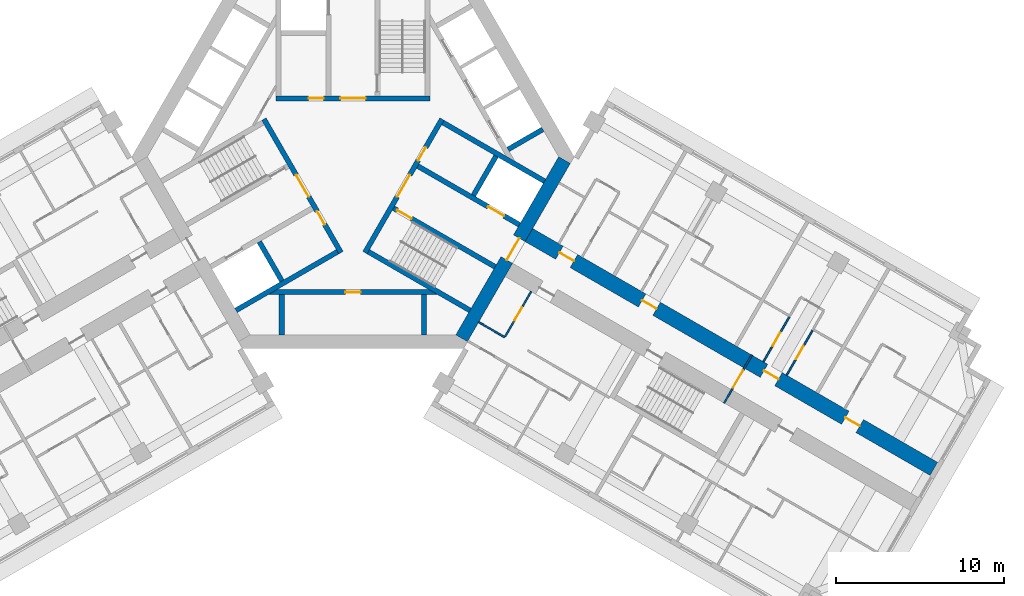
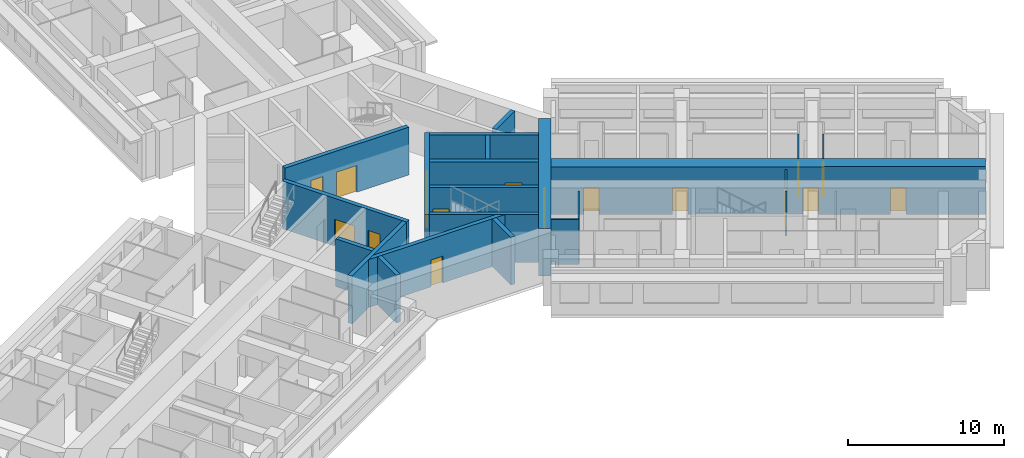
# One storey, part 6 of 12: 21 walls, 18 doors, 18 openings.
"""IFC4 building model written with IfcOpenShell, lengths in metres."""

from ifc_helpers import new_model, si_unit, direction, frame, frame_2d, origin, place, context, subcontext, project, spatial, rectangle, extrude, material, layer, layer_set, type_object, element, fill, save


model = new_model("IFC4")

# Units and contexts
model_context = context("Model", 3, precision=1e-05, world=origin(), true_north=direction((0.0, 1.0)))
body_context = subcontext(model_context, "Body", "Model", "MODEL_VIEW")
ifc_project = project(units=[si_unit("LENGTHUNIT", "METRE"), si_unit("AREAUNIT", "SQUARE_METRE"), si_unit("VOLUMEUNIT", "CUBIC_METRE"), si_unit("PLANEANGLEUNIT", "RADIAN"), si_unit("MASSUNIT", "GRAM", prefix="KILO")], contexts=[model_context])

# Site, building, storey
site_placement = place(None, origin())
site = spatial("IfcSite", under=ifc_project, at=site_placement, CompositionType="ELEMENT")
building_placement = place(site_placement, origin())
building = spatial("IfcBuilding", under=site, at=building_placement, Name="Impinga Residences", CompositionType="ELEMENT")
storey_placement = place(building_placement, frame((0.0, 0.0, 166.0)))
storey = spatial("IfcBuildingStorey", under=building, at=storey_placement, Name="L41", CompositionType="ELEMENT", Elevation=166.0)

# Wall, openings, doors
ifc_material_1 = material(Name="Concrete C60/75", Category="concrete")
ifc_layer_1 = layer(ifc_material_1, 0.89990234375)
ifc_layer_set_1 = layer_set([ifc_layer_1], Name="Concrete C60/75")
wall_type_1 = type_object("IfcWallType", Name="BW2 corridor buttress wall, L24 to L44 900", PredefinedType="SHEAR", material=ifc_layer_set_1)
wall_1_placement = place(storey_placement, frame((10.153564453125, -4.4765625, 0.0), z_axis=(0.0, 0.0, 1.0), x_axis=(0.866027127636, -0.49999701419, 0.0)))
wall_1 = element("IfcWall", 1, at=wall_1_placement, inside=storey, type_object=wall_type_1, Name="Corridor wall BW2 EC L41", PredefinedType="SHEAR", context=body_context, shape_type="SweptSolid", body=[
    extrude(rectangle(XDim=28.300048828125, YDim=0.89990234375, at=frame_2d((14.14990234375, 0.0))), origin(), (0.0, 0.0, 1.0), 3.75),
])
opening_1_placement = place(wall_1_placement, frame((2.5, 0.0, 0.0)))
opening_1 = element("IfcOpeningElement", 2, at=opening_1_placement, cuts=wall_1, Name="Opening D1", PredefinedType="OPENING", context=body_context, shape_type="SweptSolid", body=[
    extrude(rectangle(XDim=1.0, YDim=2.10009765625, at=frame_2d((0.5, 1.050048828125))), frame((0.0, 0.4599609375, 0.0), z_axis=(0.0, -1.0, 0.0), x_axis=(1.0, 0.0, 0.0)), (0.0, 0.0, 1.0), 0.919921875),
])
opening_2_placement = place(wall_1_placement, frame((8.199951171875, 0.0, 0.0)))
opening_2 = element("IfcOpeningElement", 3, at=opening_2_placement, cuts=wall_1, Name="Opening D1", PredefinedType="OPENING", context=body_context, shape_type="SweptSolid", body=[
    extrude(rectangle(XDim=1.0, YDim=2.10009765625, at=frame_2d((0.5, 1.050048828125))), frame((0.0, 0.4599609375, 0.0), z_axis=(0.0, -1.0, 0.0), x_axis=(1.0, 0.0, 0.0)), (0.0, 0.0, 1.0), 0.919921875),
])
opening_3_placement = place(wall_1_placement, frame((16.60009765625, 0.0, 0.0)))
opening_3 = element("IfcOpeningElement", 4, at=opening_3_placement, cuts=wall_1, Name="Opening D1", PredefinedType="OPENING", context=body_context, shape_type="SweptSolid", body=[
    extrude(rectangle(XDim=1.0, YDim=2.10009765625, at=frame_2d((0.5, 1.050048828125))), frame((0.0, 0.4599609375, 0.0), z_axis=(0.0, -1.0, 0.0), x_axis=(1.0, 0.0, 0.0)), (0.0, 0.0, 1.0), 0.919921875),
])
opening_4_placement = place(wall_1_placement, frame((22.199951171875, 0.0, 0.0)))
opening_4 = element("IfcOpeningElement", 5, at=opening_4_placement, cuts=wall_1, Name="Opening D1", PredefinedType="OPENING", context=body_context, shape_type="SweptSolid", body=[
    extrude(rectangle(XDim=1.0, YDim=2.10009765625, at=frame_2d((0.5, 1.050048828125))), frame((0.0, 0.4599609375, 0.0), z_axis=(0.0, -1.0, 0.0), x_axis=(1.0, 0.0, 0.0)), (0.0, 0.0, 1.0), 0.919921875),
])
ifc_material_2 = material(Name="Timber door set", Category="wood")
door_type_1 = type_object("IfcDoorType", Name="D1 apartment entrance door 1000x2100", OperationType="SINGLE_SWING_LEFT", PredefinedType="DOOR", material=ifc_material_2)
door_1_placement = place(opening_1_placement, origin())
door_1 = element("IfcDoor", 6, at=door_1_placement, inside=storey, type_object=door_type_1, Name="Apartment L41-EA1 entrance", OperationType="SINGLE_SWING_LEFT", OverallHeight=2.10009765625, OverallWidth=1.0, PredefinedType="DOOR", context=body_context, shape_type="SweptSolid", body=[
    extrude(rectangle(XDim=1.0, YDim=2.10009765625, at=frame_2d((0.5, 1.050048828125))), frame((0.0, 0.02490234375, 0.0), z_axis=(0.0, -1.0, 0.0), x_axis=(1.0, 0.0, 0.0)), (0.0, 0.0, 1.0), 0.050048828125),
])
fill(opening_1, door_1)
door_2_placement = place(opening_2_placement, origin())
door_2 = element("IfcDoor", 7, at=door_2_placement, inside=storey, type_object=door_type_1, Name="Apartment L41-EA2 entrance", OperationType="SINGLE_SWING_LEFT", OverallHeight=2.10009765625, OverallWidth=1.0, PredefinedType="DOOR", context=body_context, shape_type="SweptSolid", body=[
    extrude(rectangle(XDim=1.0, YDim=2.10009765625, at=frame_2d((0.5, 1.050048828125))), frame((0.0, 0.02490234375, 0.0), z_axis=(0.0, -1.0, 0.0), x_axis=(1.0, 0.0, 0.0)), (0.0, 0.0, 1.0), 0.050048828125),
])
fill(opening_2, door_2)
door_3_placement = place(opening_3_placement, origin())
door_3 = element("IfcDoor", 8, at=door_3_placement, inside=storey, type_object=door_type_1, Name="Apartment L41-EA3 entrance", OperationType="SINGLE_SWING_RIGHT", OverallHeight=2.10009765625, OverallWidth=1.0, PredefinedType="DOOR", context=body_context, shape_type="SweptSolid", body=[
    extrude(rectangle(XDim=1.0, YDim=2.10009765625, at=frame_2d((0.5, 1.050048828125))), frame((0.0, 0.02490234375, 0.0), z_axis=(0.0, -1.0, 0.0), x_axis=(1.0, 0.0, 0.0)), (0.0, 0.0, 1.0), 0.050048828125),
])
fill(opening_3, door_3)
door_4_placement = place(opening_4_placement, origin())
door_4 = element("IfcDoor", 9, at=door_4_placement, inside=storey, type_object=door_type_1, Name="Apartment L41-EA4 entrance", OperationType="SINGLE_SWING_RIGHT", OverallHeight=2.10009765625, OverallWidth=1.0, PredefinedType="DOOR", context=body_context, shape_type="SweptSolid", body=[
    extrude(rectangle(XDim=1.0, YDim=2.10009765625, at=frame_2d((0.5, 1.050048828125))), frame((0.0, 0.02490234375, 0.0), z_axis=(0.0, -1.0, 0.0), x_axis=(1.0, 0.0, 0.0)), (0.0, 0.0, 1.0), 0.050048828125),
])
fill(opening_4, door_4)

# Wall, opening, door
ifc_material_3 = material(Name="Concrete blockwork", Category="masonry")
ifc_layer_2 = layer(ifc_material_3, 0.10009765625)
ifc_layer_set_2 = layer_set([ifc_layer_2], Name="CP1 core room partition, blockwork 100")
wall_type_2 = type_object("IfcWallType", Name="CP1 core room partition, blockwork 100", PredefinedType="PARTITIONING", material=ifc_layer_set_2)
wall_2_placement = place(storey_placement, frame((23.802490234375, -11.837158203125, 0.0), z_axis=(0.0, 0.0, 1.0), x_axis=(-0.500061873842, -0.865989677958, 0.0)))
wall_2 = element("IfcWall", 10, at=wall_2_placement, inside=storey, type_object=wall_type_2, Name="Core room partition, blockwork L41:E:SCR", PredefinedType="PARTITIONING", context=body_context, shape_type="SweptSolid", body=[
    extrude(rectangle(XDim=3.2998046875, YDim=0.10009765625, at=frame_2d((1.64990234375, 0.0))), origin(), (0.0, 0.0, 1.0), 3.530029296875),
])
opening_5_placement = place(wall_2_placement, frame((1.050048828125, 0.0, 0.0)))
opening_5 = element("IfcOpeningElement", 11, at=opening_5_placement, cuts=wall_2, Name="Opening D3", PredefinedType="OPENING", context=body_context, shape_type="SweptSolid", body=[
    extrude(rectangle(XDim=1.199951171875, YDim=2.10009765625, at=frame_2d((0.60009765625, 1.050048828125))), frame((0.0, 0.06005859375, 0.0), z_axis=(0.0, -1.0, 0.0), x_axis=(1.0, 0.0, 0.0)), (0.0, 0.0, 1.0), 0.1201171875),
])
door_type_2 = type_object("IfcDoorType", Name="D3 room door, leaf and a half 1200x2100", OperationType="DOUBLE_SWING_LEFT", PredefinedType="DOOR", material=ifc_material_2)
door_5_placement = place(opening_5_placement, origin())
door_5 = element("IfcDoor", 12, at=door_5_placement, inside=storey, type_object=door_type_2, Name="Corridor smoke door E", OperationType="DOUBLE_SWING_LEFT", OverallHeight=2.10009765625, OverallWidth=1.199951171875, PredefinedType="DOOR", context=body_context, shape_type="SweptSolid", body=[
    extrude(rectangle(XDim=1.199951171875, YDim=2.10009765625, at=frame_2d((0.60009765625, 1.050048828125))), frame((0.0, 0.02490234375, 0.0), z_axis=(0.0, -1.0, 0.0), x_axis=(1.0, 0.0, 0.0)), (0.0, 0.0, 1.0), 0.050048828125),
])
fill(opening_5, door_5)

ifc_material_4 = material(Name="Gypsum board on steel studs", Category="steel")
ifc_layer_3 = layer(ifc_material_4, 0.10009765625)
ifc_layer_set_3 = layer_set([ifc_layer_3], Name="Gypsum board on steel studs")
wall_type_3 = type_object("IfcWallType", Name="IP1 partition 100", PredefinedType="PARTITIONING", material=ifc_layer_set_3)
wall_3_placement = place(storey_placement, frame((24.494873046875, -12.23681640625, 0.0), z_axis=(0.0, 0.0, 1.0), x_axis=(0.500026960575, 0.86600983753, 0.0)))
wall_3 = element("IfcWall", 13, at=wall_3_placement, inside=storey, type_object=wall_type_3, Name="Partition L41-EA3:IB1", PredefinedType="PARTITIONING", context=body_context, shape_type="SweptSolid", body=[
    extrude(rectangle(XDim=3.099853515625, YDim=0.10009765625, at=frame_2d((1.5498046875, 0.0))), origin(), (0.0, 0.0, 1.0), 3.530029296875),
])
opening_6_placement = place(wall_3_placement, frame((1.10009765625, 0.0, 0.0)))
opening_6 = element("IfcOpeningElement", 14, at=opening_6_placement, cuts=wall_3, Name="Opening D2", PredefinedType="OPENING", context=body_context, shape_type="SweptSolid", body=[
    extrude(rectangle(XDim=0.89990234375, YDim=2.10009765625, at=frame_2d((0.449951171875, 1.050048828125))), frame((0.0, 0.06005859375, 0.0), z_axis=(0.0, -1.0, 0.0), x_axis=(1.0, 0.0, 0.0)), (0.0, 0.0, 1.0), 0.1201171875),
])
door_type_3 = type_object("IfcDoorType", Name="D2 internal door 900x2100", OperationType="SINGLE_SWING_LEFT", PredefinedType="DOOR", material=ifc_material_2)
door_6_placement = place(opening_6_placement, origin())
door_6 = element("IfcDoor", 15, at=door_6_placement, inside=storey, type_object=door_type_3, Name="Apartment L41-EA3 bathroom door", OperationType="SINGLE_SWING_LEFT", OverallHeight=2.10009765625, OverallWidth=0.89990234375, PredefinedType="DOOR", context=body_context, shape_type="SweptSolid", body=[
    extrude(rectangle(XDim=0.89990234375, YDim=2.10009765625, at=frame_2d((0.449951171875, 1.050048828125))), frame((0.0, 0.02490234375, 0.0), z_axis=(0.0, -1.0, 0.0), x_axis=(1.0, 0.0, 0.0)), (0.0, 0.0, 1.0), 0.050048828125),
])
fill(opening_6, door_6)

wall_4_placement = place(storey_placement, frame((25.88037109375, -13.036865234375, 0.0), z_axis=(0.0, 0.0, 1.0), x_axis=(0.49999285859, 0.86602952684, 0.0)))
wall_4 = element("IfcWall", 16, at=wall_4_placement, inside=storey, type_object=wall_type_3, Name="Partition L41-EA3:IB2", PredefinedType="PARTITIONING", context=body_context, shape_type="SweptSolid", body=[
    extrude(rectangle(XDim=3.10009765625, YDim=0.10009765625, at=frame_2d((1.550048828125, 0.0))), origin(), (0.0, 0.0, 1.0), 3.530029296875),
])
opening_7_placement = place(wall_4_placement, frame((1.10009765625, 0.0, 0.0)))
opening_7 = element("IfcOpeningElement", 17, at=opening_7_placement, cuts=wall_4, Name="Opening D2", PredefinedType="OPENING", context=body_context, shape_type="SweptSolid", body=[
    extrude(rectangle(XDim=0.89990234375, YDim=2.10009765625, at=frame_2d((0.449951171875, 1.050048828125))), frame((0.0, 0.06005859375, 0.0), z_axis=(0.0, -1.0, 0.0), x_axis=(1.0, 0.0, 0.0)), (0.0, 0.0, 1.0), 0.1201171875),
])
door_7_placement = place(opening_7_placement, origin())
door_7 = element("IfcDoor", 18, at=door_7_placement, inside=storey, type_object=door_type_3, Name="Apartment L41-EA3 WC door", OperationType="SINGLE_SWING_LEFT", OverallHeight=2.10009765625, OverallWidth=0.89990234375, PredefinedType="DOOR", context=body_context, shape_type="SweptSolid", body=[
    extrude(rectangle(XDim=0.89990234375, YDim=2.10009765625, at=frame_2d((0.449951171875, 1.050048828125))), frame((0.0, 0.02490234375, 0.0), z_axis=(0.0, -1.0, 0.0), x_axis=(1.0, 0.0, 0.0)), (0.0, 0.0, 1.0), 0.050048828125),
])
fill(opening_7, door_7)

# Wall
wall_5_placement = place(storey_placement, frame((7.5, -9.872802734375, 0.0), z_axis=(0.0, 0.0, 1.0), x_axis=(0.866047807691, -0.499961193289, 0.0)))
element("IfcWall", 19, at=wall_5_placement, inside=storey, type_object=wall_type_3, Name="Partition L41-EF1:DIV0", PredefinedType="PARTITIONING", context=body_context, shape_type="SweptSolid", body=[
    extrude(rectangle(XDim=1.800048828125, YDim=0.10009765625, at=frame_2d((0.89990234375, 0.0))), origin(), (0.0, 0.0, 1.0), 3.530029296875),
])

# Wall, opening, door
wall_6_placement = place(storey_placement, frame((10.6337890625, -8.044677734375, 0.0), z_axis=(0.0, 0.0, 1.0), x_axis=(-0.49999285859, -0.86602952684, 0.0)))
wall_6 = element("IfcWall", 20, at=wall_6_placement, inside=storey, type_object=wall_type_3, Name="Partition L41-EF1:IB1", PredefinedType="PARTITIONING", context=body_context, shape_type="SweptSolid", body=[
    extrude(rectangle(XDim=3.10009765625, YDim=0.10009765625, at=frame_2d((1.550048828125, 0.0))), origin(), (0.0, 0.0, 1.0), 3.530029296875),
])
opening_8_placement = place(wall_6_placement, frame((1.10009765625, 0.0, 0.0)))
opening_8 = element("IfcOpeningElement", 21, at=opening_8_placement, cuts=wall_6, Name="Opening D2", PredefinedType="OPENING", context=body_context, shape_type="SweptSolid", body=[
    extrude(rectangle(XDim=0.89990234375, YDim=2.10009765625, at=frame_2d((0.449951171875, 1.050048828125))), frame((0.0, 0.06005859375, 0.0), z_axis=(0.0, -1.0, 0.0), x_axis=(1.0, 0.0, 0.0)), (0.0, 0.0, 1.0), 0.1201171875),
])
door_8_placement = place(opening_8_placement, origin())
door_8 = element("IfcDoor", 22, at=door_8_placement, inside=storey, type_object=door_type_3, Name="Apartment L41-EF1 bathroom door", OperationType="SINGLE_SWING_LEFT", OverallHeight=2.10009765625, OverallWidth=0.89990234375, PredefinedType="DOOR", context=body_context, shape_type="SweptSolid", body=[
    extrude(rectangle(XDim=0.89990234375, YDim=2.10009765625, at=frame_2d((0.449951171875, 1.050048828125))), frame((0.0, 0.02490234375, 0.0), z_axis=(0.0, -1.0, 0.0), x_axis=(1.0, 0.0, 0.0)), (0.0, 0.0, 1.0), 0.050048828125),
])
fill(opening_8, door_8)

ifc_layer_4 = layer(ifc_material_1, 0.800048828125)
ifc_layer_set_4 = layer_set([ifc_layer_4], Name="Concrete C60/75")
wall_type_4 = type_object("IfcWallType", Name="SW2 core wall 800", PredefinedType="SHEAR", material=ifc_layer_set_4)
wall_7_placement = place(storey_placement, frame((12.62255859375, -0.199951171875, 0.0), z_axis=(0.0, 0.0, 1.0), x_axis=(-0.499986991068, -0.866032914365, 0.0)))
wall_7 = element("IfcWall", 23, at=wall_7_placement, inside=storey, type_object=wall_type_4, Name="Core wall SW2 E:FACE L41", PredefinedType="SHEAR", context=body_context, shape_type="SweptSolid", body=[
    extrude(rectangle(XDim=12.276123046875, YDim=0.800048828125, at=frame_2d((6.13818359375, 0.0))), origin(), (0.0, 0.0, 1.0), 3.75),
])
opening_9_placement = place(wall_7_placement, frame((5.38818359375, 0.0, 0.0)))
opening_9 = element("IfcOpeningElement", 24, at=opening_9_placement, cuts=wall_7, Name="Opening D4", PredefinedType="OPENING", context=body_context, shape_type="SweptSolid", body=[
    extrude(rectangle(XDim=1.5, YDim=2.10009765625, at=frame_2d((0.75, 1.050048828125))), frame((0.0, 0.409912109375, 0.0), z_axis=(0.0, -1.0, 0.0), x_axis=(1.0, 0.0, 0.0)), (0.0, 0.0, 1.0), 0.820068359375),
])
door_type_4 = type_object("IfcDoorType", Name="D4 lobby door pair 1500x2100", OperationType="DOUBLE_DOOR_DOUBLE_SWING", PredefinedType="DOOR", material=ifc_material_2)
door_9_placement = place(opening_9_placement, origin())
door_9 = element("IfcDoor", 25, at=door_9_placement, inside=storey, type_object=door_type_4, Name="Lobby door E", OperationType="DOUBLE_DOOR_DOUBLE_SWING", OverallHeight=2.10009765625, OverallWidth=1.5, PredefinedType="DOOR", context=body_context, shape_type="SweptSolid", body=[
    extrude(rectangle(XDim=1.5, YDim=2.10009765625, at=frame_2d((0.75, 1.050048828125))), frame((0.0, 0.02490234375, 0.0), z_axis=(0.0, -1.0, 0.0), x_axis=(1.0, 0.0, 0.0)), (0.0, 0.0, 1.0), 0.050048828125),
])
fill(opening_9, door_9)

# Wall, openings, doors
ifc_material_5 = material(Name="Concrete C70/85", Category="concrete")
ifc_layer_5 = layer(ifc_material_5, 0.300048828125)
ifc_layer_set_5 = layer_set([ifc_layer_5], Name="Concrete C70/85")
wall_type_5 = type_object("IfcWallType", Name="SW5 core inner wall, stairs, shafts and lobbies 300", PredefinedType="SHEAR", material=ifc_layer_set_5)
wall_8_placement = place(storey_placement, frame((-4.60009765625, 3.47998046875, 0.0), z_axis=(0.0, 0.0, 1.0), x_axis=(1.0, 0.0, 0.0)))
wall_8 = element("IfcWall", 26, at=wall_8_placement, inside=storey, type_object=wall_type_5, Name="Core wall SW5 N:ZONE L41", PredefinedType="SHEAR", context=body_context, shape_type="SweptSolid", body=[
    extrude(rectangle(XDim=9.2001953125, YDim=0.300048828125, at=frame_2d((4.60009765625, 0.0))), origin(), (0.0, 0.0, 1.0), 3.75),
])
opening_10_placement = place(wall_8_placement, frame((3.85009765625, 0.0, 0.0)))
opening_10 = element("IfcOpeningElement", 27, at=opening_10_placement, cuts=wall_8, Name="Opening D4", PredefinedType="OPENING", context=body_context, shape_type="SweptSolid", body=[
    extrude(rectangle(XDim=1.5, YDim=2.10009765625, at=frame_2d((0.75, 1.050048828125))), frame((0.0, 0.159912109375, 0.0), z_axis=(0.0, -1.0, 0.0), x_axis=(1.0, 0.0, 0.0)), (0.0, 0.0, 1.0), 0.320068359375),
])
opening_11_placement = place(wall_8_placement, frame((1.949951171875, 0.0, 0.0)))
opening_11 = element("IfcOpeningElement", 28, at=opening_11_placement, cuts=wall_8, Name="Opening D6", PredefinedType="OPENING", context=body_context, shape_type="SweptSolid", body=[
    extrude(rectangle(XDim=0.89990234375, YDim=2.10009765625, at=frame_2d((0.449951171875, 1.050048828125))), frame((0.0, 0.159912109375, 0.0), z_axis=(0.0, -1.0, 0.0), x_axis=(1.0, 0.0, 0.0)), (0.0, 0.0, 1.0), 0.320068359375),
])
door_10_placement = place(opening_10_placement, origin())
door_10 = element("IfcDoor", 29, at=door_10_placement, inside=storey, type_object=door_type_4, Name="Firefighting lobby door N", OperationType="DOUBLE_DOOR_DOUBLE_SWING", OverallHeight=2.10009765625, OverallWidth=1.5, PredefinedType="DOOR", context=body_context, shape_type="SweptSolid", body=[
    extrude(rectangle(XDim=1.5, YDim=2.10009765625, at=frame_2d((0.75, 1.050048828125))), frame((0.0, 0.02490234375, 0.0), z_axis=(0.0, -1.0, 0.0), x_axis=(1.0, 0.0, 0.0)), (0.0, 0.0, 1.0), 0.050048828125),
])
fill(opening_10, door_10)
door_type_5 = type_object("IfcDoorType", Name="D6 riser and store door 900x2100", OperationType="SINGLE_SWING_LEFT", PredefinedType="DOOR", material=ifc_material_2)
door_11_placement = place(opening_11_placement, origin())
door_11 = element("IfcDoor", 30, at=door_11_placement, inside=storey, type_object=door_type_5, Name="Riser door N", OperationType="SINGLE_SWING_LEFT", OverallHeight=2.10009765625, OverallWidth=0.89990234375, PredefinedType="DOOR", context=body_context, shape_type="SweptSolid", body=[
    extrude(rectangle(XDim=0.89990234375, YDim=2.10009765625, at=frame_2d((0.449951171875, 1.050048828125))), frame((0.0, 0.02490234375, 0.0), z_axis=(0.0, -1.0, 0.0), x_axis=(1.0, 0.0, 0.0)), (0.0, 0.0, 1.0), 0.050048828125),
])
fill(opening_11, door_11)

wall_9_placement = place(storey_placement, frame((-0.7138671875, -5.7236328125, 0.0), z_axis=(0.0, 0.0, 1.0), x_axis=(-0.499995050369, 0.866028261437, 0.0)))
wall_9 = element("IfcWall", 31, at=wall_9_placement, inside=storey, type_object=wall_type_5, Name="Core wall SW5 W:ZONE L41", PredefinedType="SHEAR", context=body_context, shape_type="SweptSolid", body=[
    extrude(rectangle(XDim=9.19970703125, YDim=0.300048828125, at=frame_2d((4.599853515625, 0.0))), origin(), (0.0, 0.0, 1.0), 3.75),
])
opening_12_placement = place(wall_9_placement, frame((3.85009765625, 0.0, 0.0)))
opening_12 = element("IfcOpeningElement", 32, at=opening_12_placement, cuts=wall_9, Name="Opening D4", PredefinedType="OPENING", context=body_context, shape_type="SweptSolid", body=[
    extrude(rectangle(XDim=1.5, YDim=2.10009765625, at=frame_2d((0.75, 1.050048828125))), frame((0.0, 0.159912109375, 0.0), z_axis=(0.0, -1.0, 0.0), x_axis=(1.0, 0.0, 0.0)), (0.0, 0.0, 1.0), 0.320068359375),
])
opening_13_placement = place(wall_9_placement, frame((1.949951171875, 0.0, 0.0)))
opening_13 = element("IfcOpeningElement", 33, at=opening_13_placement, cuts=wall_9, Name="Opening D6", PredefinedType="OPENING", context=body_context, shape_type="SweptSolid", body=[
    extrude(rectangle(XDim=0.89990234375, YDim=2.10009765625, at=frame_2d((0.449951171875, 1.050048828125))), frame((0.0, 0.159912109375, 0.0), z_axis=(0.0, -1.0, 0.0), x_axis=(1.0, 0.0, 0.0)), (0.0, 0.0, 1.0), 0.320068359375),
])
door_12_placement = place(opening_12_placement, origin())
door_12 = element("IfcDoor", 34, at=door_12_placement, inside=storey, type_object=door_type_4, Name="Firefighting lobby door W", OperationType="DOUBLE_DOOR_DOUBLE_SWING", OverallHeight=2.10009765625, OverallWidth=1.5, PredefinedType="DOOR", context=body_context, shape_type="SweptSolid", body=[
    extrude(rectangle(XDim=1.5, YDim=2.10009765625, at=frame_2d((0.75, 1.050048828125))), frame((0.0, 0.02490234375, 0.0), z_axis=(0.0, -1.0, 0.0), x_axis=(1.0, 0.0, 0.0)), (0.0, 0.0, 1.0), 0.050048828125),
])
fill(opening_12, door_12)
door_13_placement = place(opening_13_placement, origin())
door_13 = element("IfcDoor", 35, at=door_13_placement, inside=storey, type_object=door_type_5, Name="Riser door W", OperationType="SINGLE_SWING_LEFT", OverallHeight=2.10009765625, OverallWidth=0.89990234375, PredefinedType="DOOR", context=body_context, shape_type="SweptSolid", body=[
    extrude(rectangle(XDim=0.89990234375, YDim=2.10009765625, at=frame_2d((0.449951171875, 1.050048828125))), frame((0.0, 0.02490234375, 0.0), z_axis=(0.0, -1.0, 0.0), x_axis=(1.0, 0.0, 0.0)), (0.0, 0.0, 1.0), 0.050048828125),
])
fill(opening_13, door_13)

# Walls
wall_10_placement = place(storey_placement, frame((-0.918701171875, -5.668701171875, 0.0), z_axis=(0.0, 0.0, 1.0), x_axis=(-0.866011380966, -0.500024287448, 0.0)))
element("IfcWall", 36, at=wall_10_placement, inside=storey, type_object=wall_type_5, Name="Core wall SW5 W:FF-OUT L41", PredefinedType="SHEAR", context=body_context, shape_type="SweptSolid", body=[
    extrude(rectangle(XDim=7.001708984375, YDim=0.300048828125, at=frame_2d((3.5009765625, 0.0))), origin(), (0.0, 0.0, 1.0), 3.75),
])
wall_11_placement = place(storey_placement, frame((-4.2412109375, -7.413818359375, 0.0), z_axis=(0.0, 0.0, 1.0), x_axis=(-0.500048589285, 0.86599734893, 0.0)))
element("IfcWall", 37, at=wall_11_placement, inside=storey, type_object=wall_type_5, Name="Core wall SW5 W:FF-RS L41", PredefinedType="SHEAR", context=body_context, shape_type="SweptSolid", body=[
    extrude(rectangle(XDim=2.699951171875, YDim=0.300048828125, at=frame_2d((1.35009765625, 0.0))), origin(), (0.0, 0.0, 1.0), 3.75),
])

# Wall, openings, doors
wall_12_placement = place(storey_placement, frame((5.313720703125, 2.24365234375, 0.0), z_axis=(0.0, 0.0, 1.0), x_axis=(-0.499995050369, -0.866028261437, 0.0)))
wall_12 = element("IfcWall", 38, at=wall_12_placement, inside=storey, type_object=wall_type_5, Name="Core wall SW5 E:ZONE L41", PredefinedType="SHEAR", context=body_context, shape_type="SweptSolid", body=[
    extrude(rectangle(XDim=9.19970703125, YDim=0.300048828125, at=frame_2d((4.599853515625, 0.0))), origin(), (0.0, 0.0, 1.0), 3.75),
])
opening_14_placement = place(wall_12_placement, frame((3.85009765625, 0.0, 0.0)))
opening_14 = element("IfcOpeningElement", 39, at=opening_14_placement, cuts=wall_12, Name="Opening D4", PredefinedType="OPENING", context=body_context, shape_type="SweptSolid", body=[
    extrude(rectangle(XDim=1.5, YDim=2.10009765625, at=frame_2d((0.75, 1.050048828125))), frame((0.0, 0.159912109375, 0.0), z_axis=(0.0, -1.0, 0.0), x_axis=(1.0, 0.0, 0.0)), (0.0, 0.0, 1.0), 0.320068359375),
])
opening_15_placement = place(wall_12_placement, frame((1.949951171875, 0.0, 0.0)))
opening_15 = element("IfcOpeningElement", 40, at=opening_15_placement, cuts=wall_12, Name="Opening D6", PredefinedType="OPENING", context=body_context, shape_type="SweptSolid", body=[
    extrude(rectangle(XDim=0.89990234375, YDim=2.10009765625, at=frame_2d((0.449951171875, 1.050048828125))), frame((0.0, 0.159912109375, 0.0), z_axis=(0.0, -1.0, 0.0), x_axis=(1.0, 0.0, 0.0)), (0.0, 0.0, 1.0), 0.320068359375),
])
door_14_placement = place(opening_14_placement, origin())
door_14 = element("IfcDoor", 41, at=door_14_placement, inside=storey, type_object=door_type_4, Name="Firefighting lobby door E", OperationType="DOUBLE_DOOR_DOUBLE_SWING", OverallHeight=2.10009765625, OverallWidth=1.5, PredefinedType="DOOR", context=body_context, shape_type="SweptSolid", body=[
    extrude(rectangle(XDim=1.5, YDim=2.10009765625, at=frame_2d((0.75, 1.050048828125))), frame((0.0, 0.02490234375, 0.0), z_axis=(0.0, -1.0, 0.0), x_axis=(1.0, 0.0, 0.0)), (0.0, 0.0, 1.0), 0.050048828125),
])
fill(opening_14, door_14)
door_15_placement = place(opening_15_placement, origin())
door_15 = element("IfcDoor", 42, at=door_15_placement, inside=storey, type_object=door_type_5, Name="Riser door E", OperationType="SINGLE_SWING_LEFT", OverallHeight=2.10009765625, OverallWidth=0.89990234375, PredefinedType="DOOR", context=body_context, shape_type="SweptSolid", body=[
    extrude(rectangle(XDim=0.89990234375, YDim=2.10009765625, at=frame_2d((0.449951171875, 1.050048828125))), frame((0.0, 0.02490234375, 0.0), z_axis=(0.0, -1.0, 0.0), x_axis=(1.0, 0.0, 0.0)), (0.0, 0.0, 1.0), 0.050048828125),
])
fill(opening_15, door_15)

# Wall, opening, door
wall_13_placement = place(storey_placement, frame((2.418701171875, -3.07080078125, 0.0), z_axis=(0.0, 0.0, 1.0), x_axis=(0.866026480128, -0.499998135713, 0.0)))
wall_13 = element("IfcWall", 43, at=wall_13_placement, inside=storey, type_object=wall_type_5, Name="Core wall SW5 E:ST-IN L41", PredefinedType="SHEAR", context=body_context, shape_type="SweptSolid", body=[
    extrude(rectangle(XDim=7.00146484375, YDim=0.300048828125, at=frame_2d((3.500732421875, 0.0))), origin(), (0.0, 0.0, 1.0), 3.75),
])
opening_16_placement = place(wall_13_placement, frame((0.25, 0.0, 0.0)))
opening_16 = element("IfcOpeningElement", 44, at=opening_16_placement, cuts=wall_13, Name="Opening D5", PredefinedType="OPENING", context=body_context, shape_type="SweptSolid", body=[
    extrude(rectangle(XDim=1.0, YDim=2.10009765625, at=frame_2d((0.5, 1.050048828125))), frame((0.0, 0.159912109375, 0.0), z_axis=(0.0, -1.0, 0.0), x_axis=(1.0, 0.0, 0.0)), (0.0, 0.0, 1.0), 0.320068359375),
])
door_type_6 = type_object("IfcDoorType", Name="D5 stair door 1000x2100", OperationType="SINGLE_SWING_LEFT", PredefinedType="DOOR", material=ifc_material_2)
door_16_placement = place(opening_16_placement, origin())
door_16 = element("IfcDoor", 45, at=door_16_placement, inside=storey, type_object=door_type_6, Name="Stair door E", OperationType="SINGLE_SWING_LEFT", OverallHeight=2.10009765625, OverallWidth=1.0, PredefinedType="DOOR", context=body_context, shape_type="SweptSolid", body=[
    extrude(rectangle(XDim=1.0, YDim=2.10009765625, at=frame_2d((0.5, 1.050048828125))), frame((0.0, 0.02490234375, 0.0), z_axis=(0.0, -1.0, 0.0), x_axis=(1.0, 0.0, 0.0)), (0.0, 0.0, 1.0), 0.050048828125),
])
fill(opening_16, door_16)

# Wall
wall_14_placement = place(storey_placement, frame((0.918701171875, -5.668701171875, 0.0), z_axis=(0.0, 0.0, 1.0), x_axis=(0.866011380966, -0.500024287448, 0.0)))
element("IfcWall", 46, at=wall_14_placement, inside=storey, type_object=wall_type_5, Name="Core wall SW5 E:ST-OUT L41", PredefinedType="SHEAR", context=body_context, shape_type="SweptSolid", body=[
    extrude(rectangle(XDim=7.001708984375, YDim=0.300048828125, at=frame_2d((3.5009765625, 0.0))), origin(), (0.0, 0.0, 1.0), 3.75),
])

# Wall, opening, door
wall_15_placement = place(storey_placement, frame((3.86865234375, -0.559326171875, 0.0), z_axis=(0.0, 0.0, 1.0), x_axis=(0.866026480128, -0.499998135713, 0.0)))
wall_15 = element("IfcWall", 47, at=wall_15_placement, inside=storey, type_object=wall_type_5, Name="Core wall SW5 E:FF-IN L41", PredefinedType="SHEAR", context=body_context, shape_type="SweptSolid", body=[
    extrude(rectangle(XDim=7.00146484375, YDim=0.300048828125, at=frame_2d((3.500732421875, 0.0))), origin(), (0.0, 0.0, 1.0), 3.75),
])
opening_17_placement = place(wall_15_placement, frame((4.85009765625, 0.0, 0.0)))
opening_17 = element("IfcOpeningElement", 48, at=opening_17_placement, cuts=wall_15, Name="Opening LD2", PredefinedType="OPENING", context=body_context, shape_type="SweptSolid", body=[
    extrude(rectangle(XDim=1.10009765625, YDim=2.10009765625, at=frame_2d((0.550048828125, 1.050048828125))), frame((0.0, 0.159912109375, 0.0), z_axis=(0.0, -1.0, 0.0), x_axis=(1.0, 0.0, 0.0)), (0.0, 0.0, 1.0), 0.320068359375),
])
ifc_material_6 = material(Name="Steel lift landing door", Category="steel")
door_type_7 = type_object("IfcDoorType", Name="LD2 firefighting lift landing door 1100x2100", OperationType="DOUBLE_DOOR_SLIDING", PredefinedType="DOOR", material=ifc_material_6)
door_17_placement = place(opening_17_placement, origin())
door_17 = element("IfcDoor", 49, at=door_17_placement, inside=storey, type_object=door_type_7, Name="Firefighting lift landing door F3", OperationType="DOUBLE_DOOR_SLIDING", OverallHeight=2.10009765625, OverallWidth=1.10009765625, PredefinedType="DOOR", context=body_context, shape_type="SweptSolid", body=[
    extrude(rectangle(XDim=1.10009765625, YDim=2.10009765625, at=frame_2d((0.550048828125, 1.050048828125))), frame((0.0, 0.02490234375, 0.0), z_axis=(0.0, -1.0, 0.0), x_axis=(1.0, 0.0, 0.0)), (0.0, 0.0, 1.0), 0.050048828125),
])
fill(opening_17, door_17)

# Walls
wall_16_placement = place(storey_placement, frame((5.36865234375, 2.038818359375, 0.0), z_axis=(0.0, 0.0, 1.0), x_axis=(0.866026480128, -0.499998135713, 0.0)))
element("IfcWall", 50, at=wall_16_placement, inside=storey, type_object=wall_type_5, Name="Core wall SW5 E:FF-OUT L41", PredefinedType="SHEAR", context=body_context, shape_type="SweptSolid", body=[
    extrude(rectangle(XDim=7.00146484375, YDim=0.300048828125, at=frame_2d((3.500732421875, 0.0))), origin(), (0.0, 0.0, 1.0), 3.75),
])
wall_17_placement = place(storey_placement, frame((8.541259765625, 0.033935546875, 0.0), z_axis=(0.0, 0.0, 1.0), x_axis=(-0.50000943426, -0.866019956843, 0.0)))
element("IfcWall", 51, at=wall_17_placement, inside=storey, type_object=wall_type_5, Name="Core wall SW5 E:FF-RS L41", PredefinedType="SHEAR", context=body_context, shape_type="SweptSolid", body=[
    extrude(rectangle(XDim=2.7001953125, YDim=0.300048828125, at=frame_2d((1.35009765625, 0.0))), origin(), (0.0, 0.0, 1.0), 3.75),
])

# Wall, opening, door
wall_18_placement = place(storey_placement, frame((5.09765625, -8.08154296875, 0.0), z_axis=(0.0, 0.0, 1.0), x_axis=(-1.0, 0.0, 0.0)))
wall_18 = element("IfcWall", 52, at=wall_18_placement, inside=storey, type_object=wall_type_5, Name="Core wall SW5 N:BANK-FRONT L41", PredefinedType="SHEAR", context=body_context, shape_type="SweptSolid", body=[
    extrude(rectangle(XDim=10.1953125, YDim=0.300048828125, at=frame_2d((5.09765625, 0.0))), origin(), (0.0, 0.0, 1.0), 3.75),
])
opening_18_placement = place(wall_18_placement, frame((4.647705078125, 0.0, 0.0)))
opening_18 = element("IfcOpeningElement", 53, at=opening_18_placement, cuts=wall_18, Name="Opening D6", PredefinedType="OPENING", context=body_context, shape_type="SweptSolid", body=[
    extrude(rectangle(XDim=0.89990234375, YDim=2.10009765625, at=frame_2d((0.449951171875, 1.050048828125))), frame((0.0, 0.159912109375, 0.0), z_axis=(0.0, -1.0, 0.0), x_axis=(1.0, 0.0, 0.0)), (0.0, 0.0, 1.0), 0.320068359375),
])
door_18_placement = place(opening_18_placement, origin())
door_18 = element("IfcDoor", 54, at=door_18_placement, inside=storey, type_object=door_type_5, Name="Residents' parcel room door", OperationType="SINGLE_SWING_LEFT", OverallHeight=2.10009765625, OverallWidth=0.89990234375, PredefinedType="DOOR", context=body_context, shape_type="SweptSolid", body=[
    extrude(rectangle(XDim=0.89990234375, YDim=2.10009765625, at=frame_2d((0.449951171875, 1.050048828125))), frame((0.0, 0.02490234375, 0.0), z_axis=(0.0, -1.0, 0.0), x_axis=(1.0, 0.0, 0.0)), (0.0, 0.0, 1.0), 0.050048828125),
])
fill(opening_18, door_18)

# Walls
for number, where, z_axis, x_axis, name in (
    (55, (4.25, -8.2314453125, 0.0), (0.0, 0.0, 1.0), (0.0, -1.0, 0.0), "Core wall SW5 N:BANK-L L41"),
    (56, (-4.25, -8.2314453125, 0.0), (0.0, 0.0, 1.0), (0.0, -1.0, 0.0), "Core wall SW5 N:BANK-R L41"),
    (57, (9.253662109375, 0.43505859375, 0.0), (0.0, 0.0, 1.0), (0.866006032174, 0.500033551112, 0.0), "Core wall SW5 W:BANK-R L41"),
):
    element("IfcWall", number, at=place(storey_placement, frame(where, z_axis=z_axis, x_axis=x_axis)), inside=storey, type_object=wall_type_5, Name=name, PredefinedType="SHEAR", context=body_context, shape_type="SweptSolid", body=[
        extrude(rectangle(XDim=2.400146484375, YDim=0.300048828125, at=frame_2d((1.2001953125, 0.0))), origin(), (0.0, 0.0, 1.0), 3.75),
    ])

save(model, "model.ifc")
